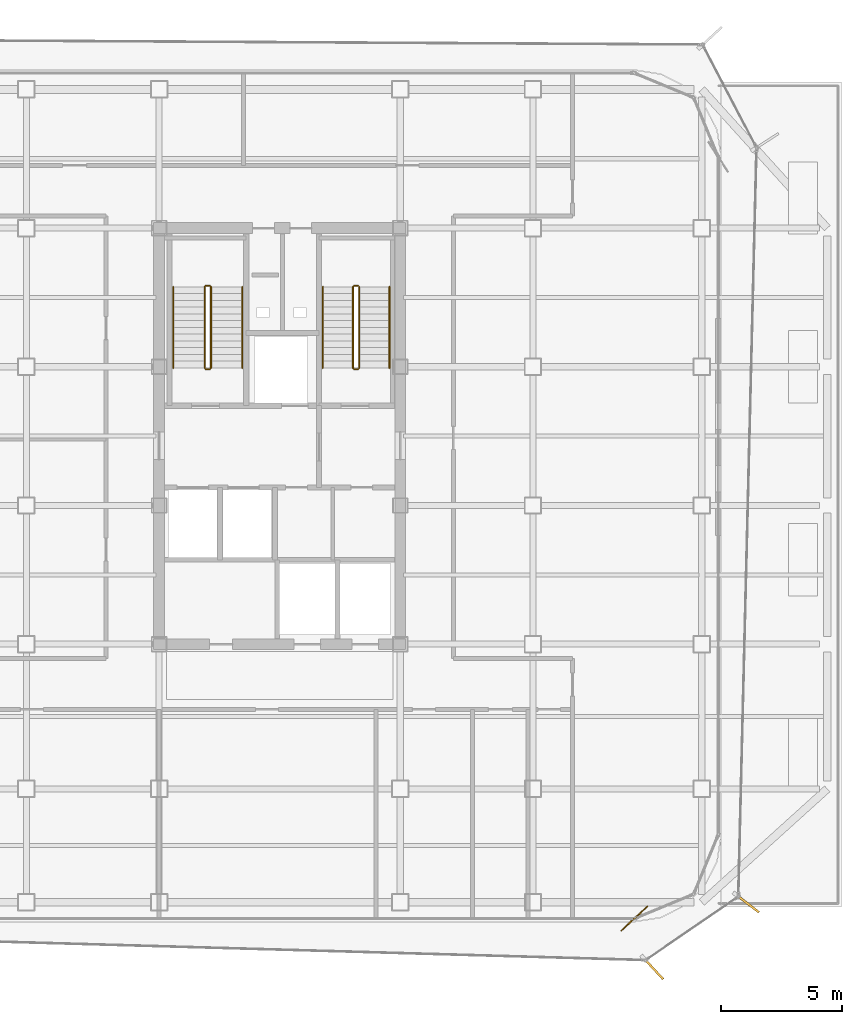
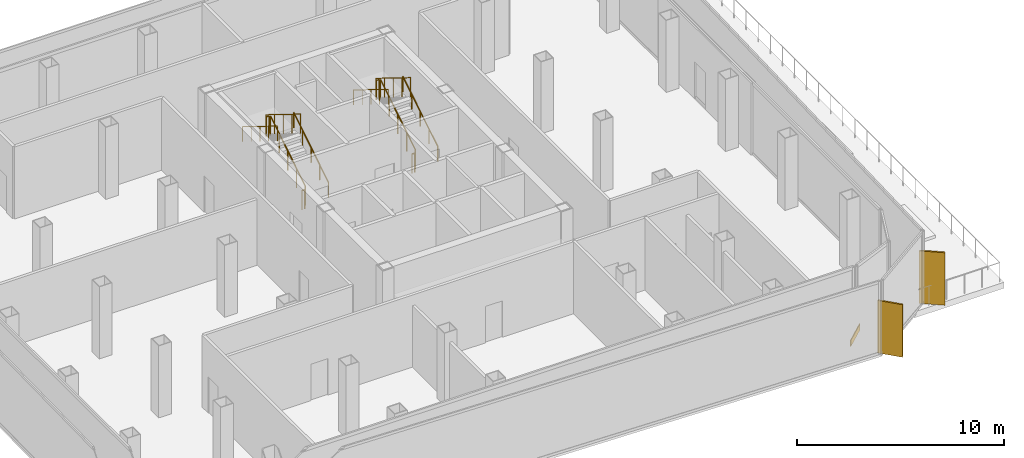
# One storey, part 13 of 14: 12 railings, 2 shading devices, 1 covering.
"""IFC4 building model written with IfcOpenShell, lengths in metres."""

from ifc_helpers import new_model, si_unit, direction, frame, origin, origin_2d, place, context, subcontext, project, spatial, rectangle, circle, extrude, source, transform, mapped, material, layer, layer_set, type_object, element, save


model = new_model("IFC4")

# Units and contexts
model_context = context("Model", 3, precision=1e-05, world=origin(), true_north=direction((0.0, 1.0)))
body_context = subcontext(model_context, "Body", "Model", "MODEL_VIEW")
ifc_project = project(units=[si_unit("LENGTHUNIT", "METRE"), si_unit("AREAUNIT", "SQUARE_METRE"), si_unit("VOLUMEUNIT", "CUBIC_METRE"), si_unit("PLANEANGLEUNIT", "RADIAN"), si_unit("MASSUNIT", "GRAM", prefix="KILO")], contexts=[model_context])

# Site, building, storey
site_placement = place(None, origin())
site = spatial("IfcSite", under=ifc_project, at=site_placement, CompositionType="ELEMENT")
building_placement = place(site_placement, origin())
building = spatial("IfcBuilding", under=site, at=building_placement, Name="Kolveth Station Tower", CompositionType="ELEMENT")
storey_placement = place(building_placement, frame((0.0, 0.0, 151.60009765625)))
storey = spatial("IfcBuildingStorey", under=building, at=storey_placement, Name="L42", CompositionType="ELEMENT", Elevation=151.60009765625)

# Railings
ifc_material_1 = material(Name="Painted Steel S355 balustrade", Category="steel")
railing_type_1 = type_object("IfcRailingType", Name="Guard_GR2", PredefinedType="BALUSTRADE", material=ifc_material_1)
railing_1_placement = place(storey_placement, frame((20.64990234375, 22.949951171875, 0.173095703125)))
element("IfcRailing", 1, at=railing_1_placement, inside=storey, type_object=railing_type_1, Name="L42 ST1 stair guard 1", PredefinedType="BALUSTRADE", context=body_context, shape_type="SweptSolid", body=[
    extrude(circle(Radius=0.02392578125, at=origin_2d()), frame((0.0, 0.0, 1.1259765625), z_axis=(0.0, 0.850623216509, 0.525775754039), x_axis=(-1.0, 0.0, 0.0)), (0.0, 0.0, 1.0), 3.9501953125),
    extrude(circle(Radius=0.02099609375, at=origin_2d()), origin(), (0.0, 0.0, 1.0), 1.101806640625),
    extrude(circle(Radius=0.02099609375, at=origin_2d()), frame((0.0, 0.840087890625, 0.519287109375)), (0.0, 0.0, 1.0), 1.101806640625),
    extrude(circle(Radius=0.02099609375, at=origin_2d()), frame((0.0, 1.68017578125, 1.03857421875)), (0.0, 0.0, 1.0), 1.101806640625),
    extrude(circle(Radius=0.02099609375, at=origin_2d()), frame((0.0, 2.52001953125, 1.5576171875)), (0.0, 0.0, 1.0), 1.101806640625),
    extrude(circle(Radius=0.02099609375, at=origin_2d()), frame((0.0, 3.360107421875, 2.076904296875)), (0.0, 0.0, 1.0), 1.101806640625),
])
railing_2_placement = place(storey_placement, frame((20.60009765625, 26.360107421875, 2.25)))
element("IfcRailing", 2, at=railing_2_placement, inside=storey, type_object=railing_type_1, Name="L42 ST1 stair guard 2", PredefinedType="BALUSTRADE", context=body_context, shape_type="SweptSolid", body=[
    extrude(circle(Radius=0.02392578125, at=origin_2d()), frame((0.0, 0.0, 1.1259765625), z_axis=(-1.0, 0.0, 0.0), x_axis=(0.0, -1.0, 0.0)), (0.0, 0.0, 1.0), 0.16015625),
    extrude(circle(Radius=0.02099609375, at=origin_2d()), origin(), (0.0, 0.0, 1.0), 1.101806640625),
    extrude(circle(Radius=0.02099609375, at=origin_2d()), frame((-0.16015625, 0.0, 0.0)), (0.0, 0.0, 1.0), 1.101806640625),
])
railing_3_placement = place(storey_placement, frame((20.389892578125, 26.31005859375, 2.423095703125)))
element("IfcRailing", 3, at=railing_3_placement, inside=storey, type_object=railing_type_1, Name="L42 ST1 stair guard 3", PredefinedType="BALUSTRADE", context=body_context, shape_type="SweptSolid", body=[
    extrude(circle(Radius=0.02392578125, at=origin_2d()), frame((0.0, 0.0, 1.1259765625), z_axis=(0.0, -0.850623216509, 0.525775754039), x_axis=(1.0, 0.0, 0.0)), (0.0, 0.0, 1.0), 3.9501953125),
    extrude(circle(Radius=0.02099609375, at=origin_2d()), origin(), (0.0, 0.0, 1.0), 1.101806640625),
    extrude(circle(Radius=0.02099609375, at=origin_2d()), frame((0.0, -0.840087890625, 0.519287109375)), (0.0, 0.0, 1.0), 1.101806640625),
    extrude(circle(Radius=0.02099609375, at=origin_2d()), frame((0.0, -1.68017578125, 1.03857421875)), (0.0, 0.0, 1.0), 1.101806640625),
    extrude(circle(Radius=0.02099609375, at=origin_2d()), frame((0.0, -2.52001953125, 1.5576171875)), (0.0, 0.0, 1.0), 1.101806640625),
    extrude(circle(Radius=0.02099609375, at=origin_2d()), frame((0.0, -3.360107421875, 2.076904296875)), (0.0, 0.0, 1.0), 1.101806640625),
])
railing_4_placement = place(storey_placement, frame((20.60009765625, 22.89990234375, 0.0)))
element("IfcRailing", 4, at=railing_4_placement, inside=storey, type_object=railing_type_1, Name="L42 ST1 stair guard 4", PredefinedType="BALUSTRADE", context=body_context, shape_type="SweptSolid", body=[
    extrude(circle(Radius=0.02392578125, at=origin_2d()), frame((0.0, 0.0, 1.1259765625), z_axis=(-1.0, 0.0, 0.0), x_axis=(0.0, -1.0, 0.0)), (0.0, 0.0, 1.0), 0.16015625),
    extrude(circle(Radius=0.02099609375, at=origin_2d()), origin(), (0.0, 0.0, 1.0), 1.101806640625),
    extrude(circle(Radius=0.02099609375, at=origin_2d()), frame((-0.16015625, 0.0, 0.0)), (0.0, 0.0, 1.0), 1.101806640625),
])
railing_5_placement = place(storey_placement, frame((26.800048828125, 22.949951171875, 0.173095703125)))
element("IfcRailing", 5, at=railing_5_placement, inside=storey, type_object=railing_type_1, Name="L42 ST2 stair guard 1", PredefinedType="BALUSTRADE", context=body_context, shape_type="SweptSolid", body=[
    extrude(circle(Radius=0.02392578125, at=origin_2d()), frame((0.0, 0.0, 1.1259765625), z_axis=(0.0, 0.850623216509, 0.525775754039), x_axis=(-1.0, 0.0, 0.0)), (0.0, 0.0, 1.0), 3.9501953125),
    extrude(circle(Radius=0.02099609375, at=origin_2d()), origin(), (0.0, 0.0, 1.0), 1.101806640625),
    extrude(circle(Radius=0.02099609375, at=origin_2d()), frame((0.0, 0.840087890625, 0.519287109375)), (0.0, 0.0, 1.0), 1.101806640625),
    extrude(circle(Radius=0.02099609375, at=origin_2d()), frame((0.0, 1.68017578125, 1.03857421875)), (0.0, 0.0, 1.0), 1.101806640625),
    extrude(circle(Radius=0.02099609375, at=origin_2d()), frame((0.0, 2.52001953125, 1.5576171875)), (0.0, 0.0, 1.0), 1.101806640625),
    extrude(circle(Radius=0.02099609375, at=origin_2d()), frame((0.0, 3.360107421875, 2.076904296875)), (0.0, 0.0, 1.0), 1.101806640625),
])
railing_6_placement = place(storey_placement, frame((26.75, 26.360107421875, 2.25)))
element("IfcRailing", 6, at=railing_6_placement, inside=storey, type_object=railing_type_1, Name="L42 ST2 stair guard 2", PredefinedType="BALUSTRADE", context=body_context, shape_type="SweptSolid", body=[
    extrude(circle(Radius=0.02392578125, at=origin_2d()), frame((0.0, 0.0, 1.1259765625), z_axis=(-1.0, 0.0, 0.0), x_axis=(0.0, -1.0, 0.0)), (0.0, 0.0, 1.0), 0.159912109375),
    extrude(circle(Radius=0.02099609375, at=origin_2d()), origin(), (0.0, 0.0, 1.0), 1.101806640625),
    extrude(circle(Radius=0.02099609375, at=origin_2d()), frame((-0.159912109375, 0.0, 0.0)), (0.0, 0.0, 1.0), 1.101806640625),
])
railing_7_placement = place(storey_placement, frame((26.5400390625, 26.31005859375, 2.423095703125)))
element("IfcRailing", 7, at=railing_7_placement, inside=storey, type_object=railing_type_1, Name="L42 ST2 stair guard 3", PredefinedType="BALUSTRADE", context=body_context, shape_type="SweptSolid", body=[
    extrude(circle(Radius=0.02392578125, at=origin_2d()), frame((0.0, 0.0, 1.1259765625), z_axis=(0.0, -0.850623216509, 0.525775754039), x_axis=(1.0, 0.0, 0.0)), (0.0, 0.0, 1.0), 3.9501953125),
    extrude(circle(Radius=0.02099609375, at=origin_2d()), origin(), (0.0, 0.0, 1.0), 1.101806640625),
    extrude(circle(Radius=0.02099609375, at=origin_2d()), frame((0.0, -0.840087890625, 0.519287109375)), (0.0, 0.0, 1.0), 1.101806640625),
    extrude(circle(Radius=0.02099609375, at=origin_2d()), frame((0.0, -1.68017578125, 1.03857421875)), (0.0, 0.0, 1.0), 1.101806640625),
    extrude(circle(Radius=0.02099609375, at=origin_2d()), frame((0.0, -2.52001953125, 1.5576171875)), (0.0, 0.0, 1.0), 1.101806640625),
    extrude(circle(Radius=0.02099609375, at=origin_2d()), frame((0.0, -3.360107421875, 2.076904296875)), (0.0, 0.0, 1.0), 1.101806640625),
])
railing_8_placement = place(storey_placement, frame((26.75, 22.89990234375, 0.0)))
element("IfcRailing", 8, at=railing_8_placement, inside=storey, type_object=railing_type_1, Name="L42 ST2 stair guard 4", PredefinedType="BALUSTRADE", context=body_context, shape_type="SweptSolid", body=[
    extrude(circle(Radius=0.02392578125, at=origin_2d()), frame((0.0, 0.0, 1.1259765625), z_axis=(-1.0, 0.0, 0.0), x_axis=(0.0, -1.0, 0.0)), (0.0, 0.0, 1.0), 0.159912109375),
    extrude(circle(Radius=0.02099609375, at=origin_2d()), origin(), (0.0, 0.0, 1.0), 1.101806640625),
    extrude(circle(Radius=0.02099609375, at=origin_2d()), frame((-0.159912109375, 0.0, 0.0)), (0.0, 0.0, 1.0), 1.101806640625),
])
ifc_material_2 = material(Name="Brushed stainless steel", Category="steel")
railing_type_2 = type_object("IfcRailingType", Name="Handrail_HR1", PredefinedType="HANDRAIL", material=ifc_material_2)
railing_9_placement = place(storey_placement, frame((21.949951171875, 22.949951171875, 0.173095703125)))
element("IfcRailing", 9, at=railing_9_placement, inside=storey, type_object=railing_type_2, Name="L42 ST1 stair handrail 1", PredefinedType="HANDRAIL", context=body_context, shape_type="SweptSolid", body=[
    extrude(circle(Radius=0.02392578125, at=origin_2d()), frame((0.0, 0.0, 0.8759765625), z_axis=(0.0, 0.850623216509, 0.525775754039), x_axis=(-1.0, 0.0, 0.0)), (0.0, 0.0, 1.0), 3.9501953125),
    extrude(circle(Radius=0.02099609375, at=origin_2d()), origin(), (0.0, 0.0, 1.0), 0.851806640625),
    extrude(circle(Radius=0.02099609375, at=origin_2d()), frame((0.0, 0.840087890625, 0.519287109375)), (0.0, 0.0, 1.0), 0.851806640625),
    extrude(circle(Radius=0.02099609375, at=origin_2d()), frame((0.0, 1.68017578125, 1.03857421875)), (0.0, 0.0, 1.0), 0.851806640625),
    extrude(circle(Radius=0.02099609375, at=origin_2d()), frame((0.0, 2.52001953125, 1.5576171875)), (0.0, 0.0, 1.0), 0.851806640625),
    extrude(circle(Radius=0.02099609375, at=origin_2d()), frame((0.0, 3.360107421875, 2.076904296875)), (0.0, 0.0, 1.0), 0.851806640625),
])
railing_10_placement = place(storey_placement, frame((19.090087890625, 26.31005859375, 2.423095703125)))
element("IfcRailing", 10, at=railing_10_placement, inside=storey, type_object=railing_type_2, Name="L42 ST1 stair handrail 2", PredefinedType="HANDRAIL", context=body_context, shape_type="SweptSolid", body=[
    extrude(circle(Radius=0.02392578125, at=origin_2d()), frame((0.0, 0.0, 0.8759765625), z_axis=(0.0, -0.850623216509, 0.525775754039), x_axis=(1.0, 0.0, 0.0)), (0.0, 0.0, 1.0), 3.9501953125),
    extrude(circle(Radius=0.02099609375, at=origin_2d()), origin(), (0.0, 0.0, 1.0), 0.851806640625),
    extrude(circle(Radius=0.02099609375, at=origin_2d()), frame((0.0, -0.840087890625, 0.519287109375)), (0.0, 0.0, 1.0), 0.851806640625),
    extrude(circle(Radius=0.02099609375, at=origin_2d()), frame((0.0, -1.68017578125, 1.03857421875)), (0.0, 0.0, 1.0), 0.851806640625),
    extrude(circle(Radius=0.02099609375, at=origin_2d()), frame((0.0, -2.52001953125, 1.5576171875)), (0.0, 0.0, 1.0), 0.851806640625),
    extrude(circle(Radius=0.02099609375, at=origin_2d()), frame((0.0, -3.360107421875, 2.076904296875)), (0.0, 0.0, 1.0), 0.851806640625),
])
railing_11_placement = place(storey_placement, frame((28.050048828125, 22.949951171875, 0.173095703125)))
element("IfcRailing", 11, at=railing_11_placement, inside=storey, type_object=railing_type_2, Name="L42 ST2 stair handrail 1", PredefinedType="HANDRAIL", context=body_context, shape_type="SweptSolid", body=[
    extrude(circle(Radius=0.02392578125, at=origin_2d()), frame((0.0, 0.0, 0.8759765625), z_axis=(0.0, 0.850623216509, 0.525775754039), x_axis=(-1.0, 0.0, 0.0)), (0.0, 0.0, 1.0), 3.9501953125),
    extrude(circle(Radius=0.02099609375, at=origin_2d()), origin(), (0.0, 0.0, 1.0), 0.851806640625),
    extrude(circle(Radius=0.02099609375, at=origin_2d()), frame((0.0, 0.840087890625, 0.519287109375)), (0.0, 0.0, 1.0), 0.851806640625),
    extrude(circle(Radius=0.02099609375, at=origin_2d()), frame((0.0, 1.68017578125, 1.03857421875)), (0.0, 0.0, 1.0), 0.851806640625),
    extrude(circle(Radius=0.02099609375, at=origin_2d()), frame((0.0, 2.52001953125, 1.5576171875)), (0.0, 0.0, 1.0), 0.851806640625),
    extrude(circle(Radius=0.02099609375, at=origin_2d()), frame((0.0, 3.360107421875, 2.076904296875)), (0.0, 0.0, 1.0), 0.851806640625),
])
railing_12_placement = place(storey_placement, frame((25.2900390625, 26.31005859375, 2.423095703125)))
element("IfcRailing", 12, at=railing_12_placement, inside=storey, type_object=railing_type_2, Name="L42 ST2 stair handrail 2", PredefinedType="HANDRAIL", context=body_context, shape_type="SweptSolid", body=[
    extrude(circle(Radius=0.02392578125, at=origin_2d()), frame((0.0, 0.0, 0.8759765625), z_axis=(0.0, -0.850623216509, 0.525775754039), x_axis=(1.0, 0.0, 0.0)), (0.0, 0.0, 1.0), 3.9501953125),
    extrude(circle(Radius=0.02099609375, at=origin_2d()), origin(), (0.0, 0.0, 1.0), 0.851806640625),
    extrude(circle(Radius=0.02099609375, at=origin_2d()), frame((0.0, -0.840087890625, 0.519287109375)), (0.0, 0.0, 1.0), 0.851806640625),
    extrude(circle(Radius=0.02099609375, at=origin_2d()), frame((0.0, -1.68017578125, 1.03857421875)), (0.0, 0.0, 1.0), 0.851806640625),
    extrude(circle(Radius=0.02099609375, at=origin_2d()), frame((0.0, -2.52001953125, 1.5576171875)), (0.0, 0.0, 1.0), 0.851806640625),
    extrude(circle(Radius=0.02099609375, at=origin_2d()), frame((0.0, -3.360107421875, 2.076904296875)), (0.0, 0.0, 1.0), 0.851806640625),
])

# Shading devices
ifc_material_3 = material(Name="Black anodized aluminium 6063-T6", Category="aluminium")
shading_device_type = type_object("IfcShadingDeviceType", Name="FIN_VF1", PredefinedType="USERDEFINED", material=ifc_material_3)
shared_shape_1 = source(origin(), body_context, "Body", "SweptSolid", [
    extrude(rectangle(XDim=1.25, YDim=0.090087890625, at=origin_2d()), origin(), (0.0, 0.0, 1.0), 3.10009765625),
])
for number, where, z_axis, x_axis, name in (
    (13, (38.97802734375, -1.93310546875, -0.000244140625), (0.0, 0.0, 1.0), (0.678287926333, -0.734796222766, 0.0), "L42 Dark-Aluminium Solar Fin 1"),
    (14, (42.8759765625, 0.763916015625, -0.000244140625), (0.0, 0.0, 1.0), (0.792928151339, -0.609315145729, 0.0), "L42 Dark-Aluminium Solar Fin 2"),
):
    element("IfcShadingDevice", number, at=place(storey_placement, frame(where, z_axis=z_axis, x_axis=x_axis)), inside=storey, type_object=shading_device_type, Name=name, ObjectType="FIN", PredefinedType="USERDEFINED", context=body_context, shape_type="MappedRepresentation", body=[
        mapped(shared_shape_1, transform((0.0, 0.0, 0.0), x_axis=(1.0, 0.0, 0.0), y_axis=(0.0, 1.0, 0.0), z_axis=(0.0, 0.0, 1.0), scale=1.0)),
    ])

# Covering
ifc_material_4 = material(Name="Charcoal anodized aluminium spandrel cladding", Category="aluminium")
ifc_layer = layer(ifc_material_4, 0.044921875)
ifc_layer_set = layer_set([ifc_layer], Name="Charcoal anodized aluminium spandrel cladding")
covering_type = type_object("IfcCoveringType", Name="Clad_CD1", PredefinedType="CLADDING", material=ifc_layer_set)
shared_shape_2 = source(origin(), body_context, "Body", "SweptSolid", [
    extrude(rectangle(XDim=1.5, YDim=0.044921875, at=origin_2d()), origin(), (0.0, 0.0, 1.0), 0.360107421875),
])
covering_placement = place(storey_placement, frame((38.199951171875, 0.1201171875, 0.0), z_axis=(0.0, 0.0, 1.0), x_axis=(0.734796222766, 0.678287926333, 0.0)))
element("IfcCovering", 15, at=covering_placement, inside=storey, type_object=covering_type, Name="L42 Spandrel Edge Cladding 1", PredefinedType="CLADDING", context=body_context, shape_type="MappedRepresentation", body=[
    mapped(shared_shape_2, transform((0.0, 0.0, 0.0), x_axis=(1.0, 0.0, 0.0), y_axis=(0.0, 1.0, 0.0), z_axis=(0.0, 0.0, 1.0), scale=1.0)),
])

save(model, "model.ifc")
